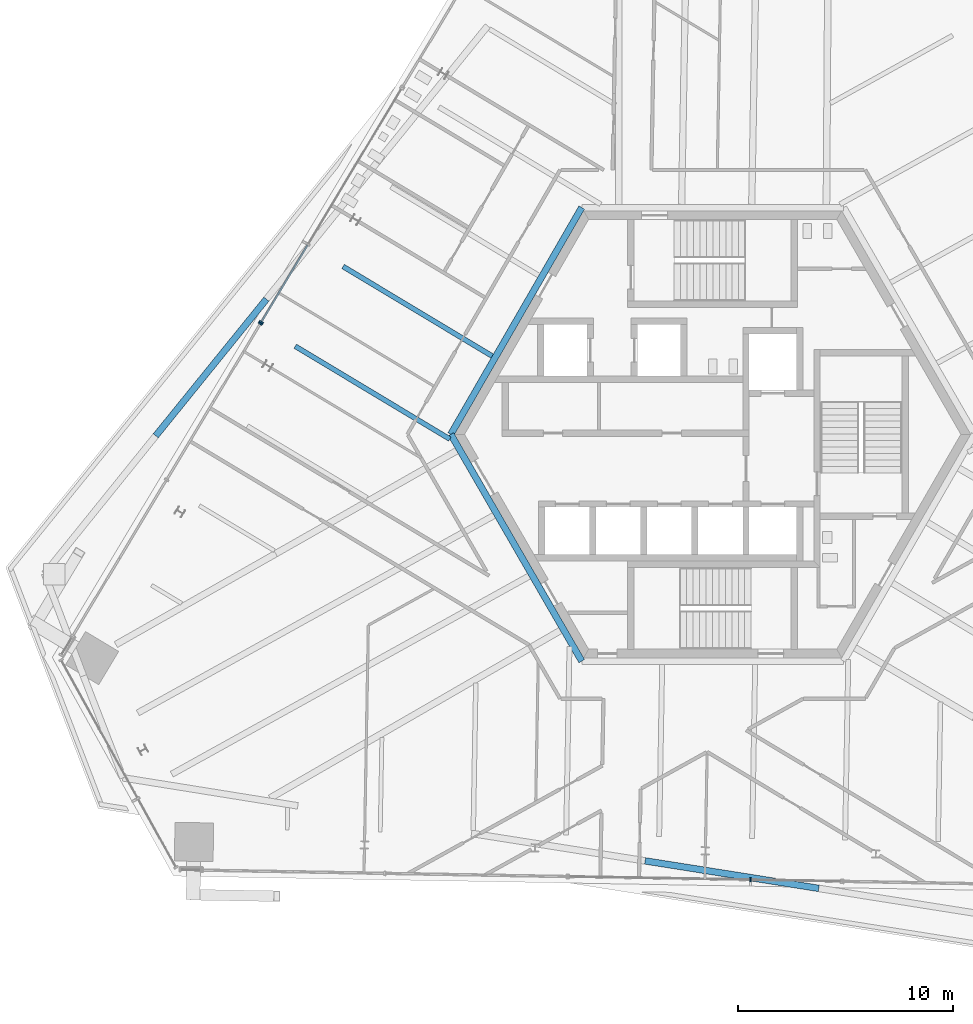
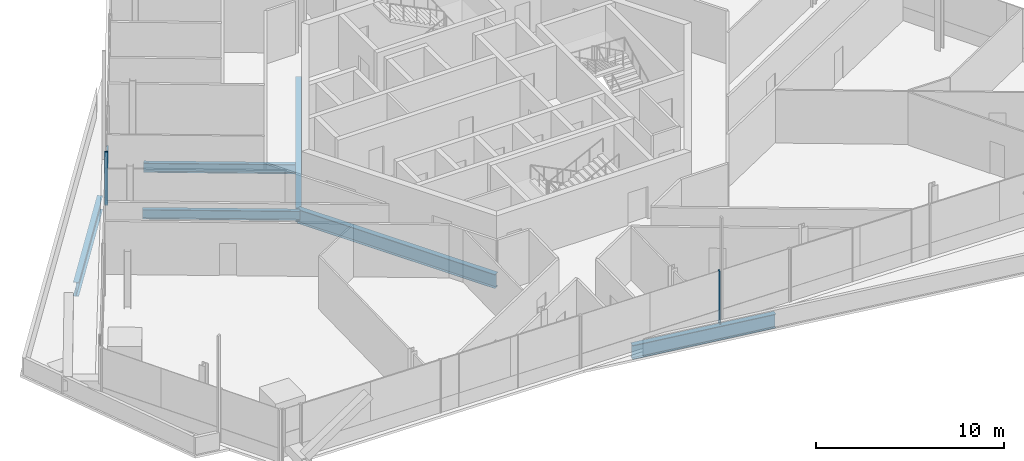
# One storey, part 5 of 22: 6 beams, 4 members, 3 elements without a shape of their own.
"""IFC4 building model written with IfcOpenShell, lengths in metres."""

import ifcopenshell
import ifcopenshell.guid

model = None  # the IFC model being written
_history = None  # IfcOwnerHistory: only IFC2X3 demands one
_inside = {}  # id of a spatial element -> (the spatial element, [elements in it])
_under = {}  # id of a project, library or spatial element -> (it, [spatial elements below it])
_declared = {}  # id of a project -> (the project, [libraries it declares])
_typed = {}  # id of a type object -> (the type object, [elements of that type])
_made_of = {}  # id of a material, layer set ... -> (it, [elements and type objects made of it])


def new_model(schema):
    """Start an empty IFC model of exactly this schema.

    Asked for "IFC4X3", IfcOpenShell would pick the latest addendum, in which some entities
    have other attributes; the version numbers below select the first issue.
    IFC2X3 requires an IfcOwnerHistory on every rooted entity: one is made here for all.
    """
    global model, _history
    if schema == "IFC4X3":
        model = ifcopenshell.file(schema_version=(4, 3, 0, 0))
    else:
        model = ifcopenshell.file(schema=schema)
    _inside.clear()
    _under.clear()
    _declared.clear()
    _typed.clear()
    _made_of.clear()
    _history = None
    if model.schema == "IFC2X3":
        org = make("IfcOrganization", Name="unknown")
        user = make(
            "IfcPersonAndOrganization",
            ThePerson=make("IfcPerson", FamilyName="unknown"),
            TheOrganization=org,
        )
        app = make(
            "IfcApplication",
            ApplicationDeveloper=org,
            Version="unknown",
            ApplicationFullName="unknown",
            ApplicationIdentifier="unknown",
        )
        _history = make(
            "IfcOwnerHistory",
            OwningUser=user,
            OwningApplication=app,
            ChangeAction="ADDED",
            CreationDate=0,
        )
    return model


def make(cls, **values):
    """One entity of the class cls with the attributes given. An attribute that is None is left unset."""
    return model.create_entity(
        cls, **{name: value for name, value in values.items() if value is not None}
    )


def rooted(cls, **values):
    """An entity with a GlobalId (a new one), such as an element, a storey or a relation."""
    return make(cls, GlobalId=ifcopenshell.guid.new(), OwnerHistory=_history, **values)


def si_unit(unit_type, name, prefix=None):
    """IfcSIUnit, for example si_unit("LENGTHUNIT", "METRE", prefix="MILLI")."""
    return make("IfcSIUnit", UnitType=unit_type, Prefix=prefix, Name=name)


def assignment(units):
    """IfcUnitAssignment: the units of a project."""
    return None if units is None else make("IfcUnitAssignment", Units=units)


def point(xyz):
    """IfcCartesianPoint."""
    return None if xyz is None else make("IfcCartesianPoint", Coordinates=xyz)


def direction(xyz):
    """IfcDirection."""
    return None if xyz is None else make("IfcDirection", DirectionRatios=xyz)


def frame(location, z_axis=None, x_axis=None):
    """IfcAxis2Placement3D, a coordinate frame: its origin and axes. An axis left out is left unset."""
    return make(
        "IfcAxis2Placement3D",
        Location=point(location),
        Axis=direction(z_axis),
        RefDirection=direction(x_axis),
    )


def frame_2d(location, x_axis=None):
    """IfcAxis2Placement2D, a coordinate frame in the plane: its origin and x axis."""
    return make(
        "IfcAxis2Placement2D", Location=point(location), RefDirection=direction(x_axis)
    )


def origin():
    """The frame at (0, 0, 0) with its axes left unset."""
    return frame((0.0, 0.0, 0.0))


def origin_2d():
    """The frame at (0, 0) in the plane with its x axis left unset."""
    return frame_2d((0.0, 0.0))


def place(relative_to, where):
    """IfcLocalPlacement: puts the frame where relative to a parent placement (None: the world)."""
    return make(
        "IfcLocalPlacement", PlacementRelTo=relative_to, RelativePlacement=where
    )


def context(
    kind, dimensions, precision=None, world=None, true_north=None, identifier=None
):
    """IfcGeometricRepresentationContext, for example the 3D "Model" context."""
    return make(
        "IfcGeometricRepresentationContext",
        ContextIdentifier=identifier,
        ContextType=kind,
        CoordinateSpaceDimension=dimensions,
        Precision=precision,
        WorldCoordinateSystem=world,
        TrueNorth=true_north,
    )


def subcontext(parent, identifier, kind, view, scale=None):
    """IfcGeometricRepresentationSubContext, for example "Body" below "Model"."""
    return make(
        "IfcGeometricRepresentationSubContext",
        ContextIdentifier=identifier,
        ContextType=kind,
        ParentContext=parent,
        TargetScale=scale,
        TargetView=view,
    )


def project(units=None, contexts=None):
    """IfcProject with its units and contexts."""
    return rooted(
        "IfcProject",
        Name="project",
        RepresentationContexts=contexts,
        UnitsInContext=assignment(units),
    )


def spatial(cls, under=None, at=None, **own):
    """A site, building, storey or space (cls), placed at a placement, below another one or the project."""
    s = rooted(cls, ObjectPlacement=at, **own)
    if under is not None:
        _under.setdefault(under.id(), (under, []))[1].append(s)
    return s


def profile(cls, at=None, kind="AREA", **sizes):
    """A parametric profile (cls). Its sizes go by their IFC names, for example OverallWidth=200.0."""
    return make(cls, ProfileType=kind, Position=at, **sizes)


def rectangle(**sizes):
    """IfcRectangleProfileDef."""
    return profile("IfcRectangleProfileDef", **sizes)


def i_section(**sizes):
    """IfcIShapeProfileDef."""
    return profile("IfcIShapeProfileDef", **sizes)


def extrude(swept, where, along, depth):
    """IfcExtrudedAreaSolid: the profile swept, set in the frame where, extruded along a direction by depth."""
    return make(
        "IfcExtrudedAreaSolid",
        SweptArea=swept,
        Position=where,
        ExtrudedDirection=direction(along),
        Depth=depth,
    )


def shape(context_of_items, identifier, shape_type, items):
    """IfcShapeRepresentation: the items that make up one representation, for example the "Body"."""
    return make(
        "IfcShapeRepresentation",
        ContextOfItems=context_of_items,
        RepresentationIdentifier=identifier,
        RepresentationType=shape_type,
        Items=items,
    )


def source(mapping_origin, context_of_items, identifier, shape_type, items):
    """IfcRepresentationMap: a shape defined once, which mapped items show again and again."""
    return make(
        "IfcRepresentationMap",
        MappingOrigin=mapping_origin,
        MappedRepresentation=shape(context_of_items, identifier, shape_type, items),
    )


def transform(
    local_origin,
    x_axis=None,
    y_axis=None,
    z_axis=None,
    scale=None,
    scale2=None,
    scale3=None,
    uniform=True,
):
    """IfcCartesianTransformationOperator3D, or its non-uniform kind. x_axis, y_axis, z_axis: its Axis1, 2, 3."""
    if uniform:
        return make(
            "IfcCartesianTransformationOperator3D",
            Axis1=direction(x_axis),
            Axis2=direction(y_axis),
            LocalOrigin=point(local_origin),
            Scale=scale,
            Axis3=direction(z_axis),
        )
    return make(
        "IfcCartesianTransformationOperator3DnonUniform",
        Axis1=direction(x_axis),
        Axis2=direction(y_axis),
        LocalOrigin=point(local_origin),
        Scale=scale,
        Axis3=direction(z_axis),
        Scale2=scale2,
        Scale3=scale3,
    )


def mapped(mapping_source, mapping_target):
    """IfcMappedItem: shows the shape of a source again, moved by a transform."""
    return make(
        "IfcMappedItem", MappingSource=mapping_source, MappingTarget=mapping_target
    )


def material(Name=None, Category=None):
    """IfcMaterial."""
    return make("IfcMaterial", Name=Name, Category=Category)


def material_profile(
    of_material, cross_section, Name=None, Category=None, Priority=None
):
    """IfcMaterialProfile: a cross section and its material."""
    return make(
        "IfcMaterialProfile",
        Name=Name,
        Material=of_material,
        Profile=cross_section,
        Priority=Priority,
        Category=Category,
    )


def profile_set(profiles, Name=None, composite=None):
    """IfcMaterialProfileSet."""
    return make(
        "IfcMaterialProfileSet",
        Name=Name,
        MaterialProfiles=profiles,
        CompositeProfile=composite,
    )


def made_of(thing, what):
    """Note that an element or type object is made of a material, layer set ...; save() writes the relation."""
    if what is not None:
        _made_of.setdefault(what.id(), (what, []))[1].append(thing)
    return thing


def type_object(cls, material=None, **own):
    """A type object (cls), such as IfcWallType, which elements share."""
    return made_of(rooted(cls, **own), material)


def element(
    cls,
    number,
    at=None,
    inside=None,
    cuts=None,
    type_object=None,
    material=None,
    context=None,
    identifier="Body",
    shape_type=None,
    held_by="IfcProductDefinitionShape",
    body=None,
    shapes=None,
    **own,
):
    """One element of the class cls, such as IfcWall. Its Tag is "e" and its number.

    at: its placement. inside: the storey or other place that contains it. cuts: it is an
    opening in that element (IfcRelVoidsElement). A single representation is given by context,
    identifier, shape_type and body (its items); several are given by shapes. held_by: the class
    of the entity that holds the representations. save() writes the other relations.
    """
    e = rooted(cls, Tag="e%d" % number, ObjectPlacement=at, **own)
    if body is not None:
        shapes = [shape(context, identifier, shape_type, body)]
    if shapes is not None:
        e.Representation = make(held_by, Representations=shapes)
    if inside is not None:
        _inside.setdefault(inside.id(), (inside, []))[1].append(e)
    if cuts is not None:
        rooted(
            "IfcRelVoidsElement", RelatingBuildingElement=cuts, RelatedOpeningElement=e
        )
    if type_object is not None:
        _typed.setdefault(type_object.id(), (type_object, []))[1].append(e)
    return made_of(e, material)


def aggregate(whole, parts):
    """IfcRelAggregates: a whole, such as a stair, and the parts it consists of."""
    return rooted("IfcRelAggregates", RelatingObject=whole, RelatedObjects=parts)


def save(model, path):
    """Write the relations noted so far, then the file.

    IfcRelAggregates (storeys below a building ...), IfcRelContainedInSpatialStructure (elements
    in a storey), IfcRelDefinesByType, IfcRelAssociatesMaterial and IfcRelDeclares: one each for
    every whole, place, type object, material and project.
    """
    for whole, parts in _under.values():
        aggregate(whole, parts)
    for where, things in _inside.values():
        rooted(
            "IfcRelContainedInSpatialStructure",
            RelatedElements=things,
            RelatingStructure=where,
        )
    for kind, things in _typed.values():
        rooted("IfcRelDefinesByType", RelatedObjects=things, RelatingType=kind)
    for what, things in _made_of.values():
        rooted("IfcRelAssociatesMaterial", RelatedObjects=things, RelatingMaterial=what)
    for by, libraries in _declared.values():
        rooted("IfcRelDeclares", RelatingContext=by, RelatedDefinitions=libraries)
    model.write(path)


model = new_model("IFC4")

# Units and contexts
model_context = context("Model", 3, precision=1e-05, world=origin(), true_north=direction((0.0, 1.0)))
body_context = subcontext(model_context, "Body", "Model", "MODEL_VIEW")
ifc_project = project(units=[si_unit("LENGTHUNIT", "METRE"), si_unit("AREAUNIT", "SQUARE_METRE"), si_unit("VOLUMEUNIT", "CUBIC_METRE"), si_unit("PLANEANGLEUNIT", "RADIAN"), si_unit("MASSUNIT", "GRAM", prefix="KILO")], contexts=[model_context])

# Site, building, storey
site_placement = place(None, origin())
site = spatial("IfcSite", under=ifc_project, at=site_placement, CompositionType="ELEMENT")
building_placement = place(site_placement, origin())
building = spatial("IfcBuilding", under=site, at=building_placement, Name="Triune Harvest Tower", CompositionType="ELEMENT")
storey_placement = place(building_placement, frame((0.0, 0.0, 179.89990234375)))
storey = spatial("IfcBuildingStorey", under=building, at=storey_placement, Name="L46", CompositionType="ELEMENT", Elevation=179.89990234375)

# Beams
ifc_material_1 = material(Name="Steel ASTM A992 Gr 50", Category="steel")
ifc_material_profile_1 = material_profile(ifc_material_1, i_section(OverallWidth=0.3046875, OverallDepth=0.914306640625, WebThickness=0.0166015625, FlangeThickness=0.02587890625, at=origin_2d()), Name="W36x160")
ifc_profile_set_1 = profile_set([ifc_material_profile_1], Name="Steel ASTM A992 Gr 50")
beam_type_1 = type_object("IfcBeamType", Name="CG-1 Core ring girder W36x160", PredefinedType="BEAM", material=ifc_profile_set_1)
shared_shape_1 = source(origin(), body_context, "Body", "SweptSolid", [
    extrude(i_section(OverallWidth=0.3046875, OverallDepth=0.914306640625, WebThickness=0.0166015625, FlangeThickness=0.02587890625, at=origin_2d()), origin(), (0.0, 0.0, 1.0), 12.176025390625),
])
for number, where, z_axis, x_axis, name in (
    (1, (-6.087890625, 10.544677734375, -0.6171875), (-0.5000099932, -0.866019634131, 0.0), (0.866019634131, -0.5000099932, 0.0), "beam/L46/CG3"),
    (2, (-12.176025390625, 0.0, -0.6171875), (0.5000099932, -0.866019634131, 0.0), (0.866019634131, 0.5000099932, 0.0), "beam/L46/CG4"),
):
    element("IfcBeam", number, at=place(storey_placement, frame(where, z_axis=z_axis, x_axis=x_axis)), inside=storey, type_object=beam_type_1, Name=name, PredefinedType="BEAM", context=body_context, shape_type="MappedRepresentation", body=[
        mapped(shared_shape_1, transform((0.0, 0.0, 0.0), scale=1.0)),
    ])
ifc_material_2 = material(Name="Steel ASTM A992 Gr 50", Category="steel")
ifc_material_profile_2 = material_profile(ifc_material_2, i_section(OverallWidth=0.3046875, OverallDepth=0.914306640625, WebThickness=0.0166015625, FlangeThickness=0.02587890625, at=origin_2d()), Name="W36x160")
ifc_profile_set_2 = profile_set([ifc_material_profile_2], Name="Steel ASTM A992 Gr 50")
beam_type_2 = type_object("IfcBeamType", Name="SB-1 Spandrel beam W36x160", PredefinedType="SPANDREL", material=ifc_profile_set_2)
shared_shape_2 = source(origin(), body_context, "Body", "SweptSolid", [
    extrude(i_section(OverallWidth=0.3046875, OverallDepth=0.914306640625, WebThickness=0.0166015625, FlangeThickness=0.02587890625, at=origin_2d()), origin(), (0.0, 0.0, 1.0), 8.175048828125),
])
for number, where, z_axis, x_axis, name in (
    (3, (-20.751220703125, 6.28466796875, -0.6171875), (-0.629334818401, -0.777134278196, 0.0), (0.777134278196, -0.629334818401, 0.0), "beam/L46/WB11"),
    (4, (-3.1416015625, -19.834716796875, -0.6171875), (0.987689487642, -0.156427222697, 0.0), (0.156427222697, 0.987689487642, 0.0), "beam/L46/WB17"),
):
    element("IfcBeam", number, at=place(storey_placement, frame(where, z_axis=z_axis, x_axis=x_axis)), inside=storey, type_object=beam_type_2, Name=name, PredefinedType="SPANDREL", context=body_context, shape_type="MappedRepresentation", body=[
        mapped(shared_shape_2, transform((0.0, 0.0, 0.0), scale=1.0)),
    ])
ifc_material_3 = material(Name="Steel ASTM A992 Gr 50", Category="steel")
ifc_material_profile_3 = material_profile(ifc_material_3, i_section(OverallWidth=0.22900390625, OverallDepth=0.612060546875, WebThickness=0.011962890625, FlangeThickness=0.01953125, at=origin_2d()), Name="W24x84")
ifc_profile_set_3 = profile_set([ifc_material_profile_3], Name="Steel ASTM A992 Gr 50")
beam_type_3 = type_object("IfcBeamType", Name="JT-3 Floor joist W24x84", PredefinedType="JOIST", material=ifc_profile_set_3)
shared_shape_3 = source(origin(), body_context, "Body", "SweptSolid", [
    extrude(i_section(OverallWidth=0.22900390625, OverallDepth=0.612060546875, WebThickness=0.011962890625, FlangeThickness=0.01953125, at=origin_2d()), origin(), (0.0, 0.0, 1.0), 8.0888671875),
])
beam_1_placement = place(storey_placement, frame((-17.185302734375, 7.8037109375, -0.466064453125), z_axis=(0.857173184542, -0.51502828243, 0.0), x_axis=(0.51502828243, 0.857173184542, 0.0)))
element("IfcBeam", 5, at=beam_1_placement, inside=storey, type_object=beam_type_3, Name="beam/L46/JT18", PredefinedType="JOIST", context=body_context, shape_type="MappedRepresentation", body=[
    mapped(shared_shape_3, transform((0.0, 0.0, 0.0), scale=1.0)),
])
shared_shape_4 = source(origin(), body_context, "Body", "SweptSolid", [
    extrude(i_section(OverallWidth=0.22900390625, OverallDepth=0.612060546875, WebThickness=0.011962890625, FlangeThickness=0.01953125, at=origin_2d()), origin(), (0.0, 0.0, 1.0), 8.38623046875),
])
beam_2_placement = place(storey_placement, frame((-19.412353515625, 4.097412109375, -0.466064453125), z_axis=(0.857176812064, -0.515022245015, 0.0), x_axis=(0.515022245015, 0.857176812064, 0.0)))
element("IfcBeam", 6, at=beam_2_placement, inside=storey, type_object=beam_type_3, Name="beam/L46/JT19", PredefinedType="JOIST", context=body_context, shape_type="MappedRepresentation", body=[
    mapped(shared_shape_4, transform((0.0, 0.0, 0.0), scale=1.0)),
])

# Curtain wall, member
ifc_material_4 = material(Name="Aluminium bronze anodised", Category="aluminium")
curtain_wall_type_1 = type_object("IfcCurtainWallType", Name="CW-1 Tower stick curtain wall", PredefinedType="NOTDEFINED", material=ifc_material_4)
curtain_wall_1_placement = place(storey_placement, origin())
curtain_wall_1 = element("IfcCurtainWall", 7, at=curtain_wall_1_placement, inside=storey, type_object=curtain_wall_type_1, Name="CW-1 B5-F3 L46 run 1101")
ifc_material_5 = material(Name="Aluminium bronze anodised", Category="aluminium")
ifc_material_profile_4 = material_profile(ifc_material_5, rectangle(XDim=0.199951171875, YDim=0.074951171875, at=origin_2d()), Name="MU-1 mullion 75 x 200")
ifc_profile_set_4 = profile_set([ifc_material_profile_4], Name="Aluminium bronze anodised")
member_type_1 = type_object("IfcMemberType", Name="MU-1 mullion 75 x 200", PredefinedType="MULLION", material=ifc_profile_set_4)
shared_shape_5 = source(origin(), body_context, "Body", "SweptSolid", [
    extrude(rectangle(XDim=0.199951171875, YDim=0.074951171875, at=origin_2d()), origin(), (0.0, 0.0, 1.0), 3.440185546875),
])
member_1_placement = place(storey_placement, frame((-20.990966796875, 5.212158203125, 0.0), z_axis=(0.0, 0.0, 1.0), x_axis=(0.857164336448, -0.515043008225, 0.0)))
member_1 = element("IfcMember", 8, at=member_1_placement, type_object=member_type_1, Name="CW-1 mullion B5-F3 1101.4", PredefinedType="MULLION", context=body_context, shape_type="MappedRepresentation", body=[
    mapped(shared_shape_5, transform((0.0, 0.0, 0.0), scale=1.0)),
])

ifc_material_6 = material(Name="Aluminium bronze anodised", Category="aluminium")
curtain_wall_type_2 = type_object("IfcCurtainWallType", Name="CW-7 Tower stick curtain wall with insulated spandrel infill", PredefinedType="NOTDEFINED", material=ifc_material_6)
curtain_wall_2_placement = place(storey_placement, origin())
curtain_wall_2 = element("IfcCurtainWall", 9, at=curtain_wall_2_placement, inside=storey, type_object=curtain_wall_type_2, Name="CW-7 B5-F3 L46 run 2101")
member_2_placement = place(storey_placement, frame((-21.029541015625, 5.147705078125, 0.0), z_axis=(0.0, 0.0, 1.0), x_axis=(0.857169699895, -0.515034081961, 0.0)))
member_2 = element("IfcMember", 10, at=member_2_placement, type_object=member_type_1, Name="CW-7 mullion B5-F3 2101.1", PredefinedType="MULLION", context=body_context, shape_type="MappedRepresentation", body=[
    mapped(shared_shape_5, transform((0.0, 0.0, 0.0), scale=1.0)),
])
aggregate(curtain_wall_2, [member_2])

curtain_wall_3_placement = place(storey_placement, origin())
curtain_wall_3 = element("IfcCurtainWall", 11, at=curtain_wall_3_placement, inside=storey, type_object=curtain_wall_type_1, Name="CW-1 B5-F5 L46 run 1101")
member_3_placement = place(storey_placement, frame((1.765625, -20.711181640625, 0.0), z_axis=(0.0, 0.0, 1.0), x_axis=(0.017450593962, 0.999847726792, 0.0)))
member_3 = element("IfcMember", 12, at=member_3_placement, type_object=member_type_1, Name="CW-1 mullion B5-F5 1101.3", PredefinedType="MULLION", context=body_context, shape_type="MappedRepresentation", body=[
    mapped(shared_shape_5, transform((0.0, 0.0, 0.0), scale=1.0)),
])
aggregate(curtain_wall_3, [member_3])

# Member
ifc_material_7 = material(Name="Aluminium bronze anodised", Category="aluminium")
ifc_material_profile_5 = material_profile(ifc_material_7, rectangle(XDim=0.090087890625, YDim=0.89990234375, at=origin_2d()), Name="TR-1 transom 90 x 900")
ifc_profile_set_5 = profile_set([ifc_material_profile_5], Name="Aluminium bronze anodised")
member_type_2 = type_object("IfcMemberType", Name="TR-1 transom 90 x 900", PredefinedType="USERDEFINED", material=ifc_profile_set_5)
shared_shape_6 = source(origin(), body_context, "Body", "SweptSolid", [
    extrude(rectangle(XDim=0.090087890625, YDim=0.89990234375, at=origin_2d()), origin(), (0.0, 0.0, 1.0), 4.1416015625),
])
member_4_placement = place(storey_placement, frame((-18.838623046875, 8.794189453125, 0.4501953125), z_axis=(-0.515033126065, -0.857170274249, 0.0), x_axis=(0.857170274249, -0.515033126065, 0.0)))
member_4 = element("IfcMember", 13, at=member_4_placement, type_object=member_type_2, Name="CW-1 transom B5-F3 1101.2", ObjectType="TRANSOM", PredefinedType="USERDEFINED", context=body_context, shape_type="MappedRepresentation", body=[
    mapped(shared_shape_6, transform((0.0, 0.0, 0.0), scale=1.0)),
])

aggregate(curtain_wall_1, [member_1, member_4])

save(model, "model.ifc")
